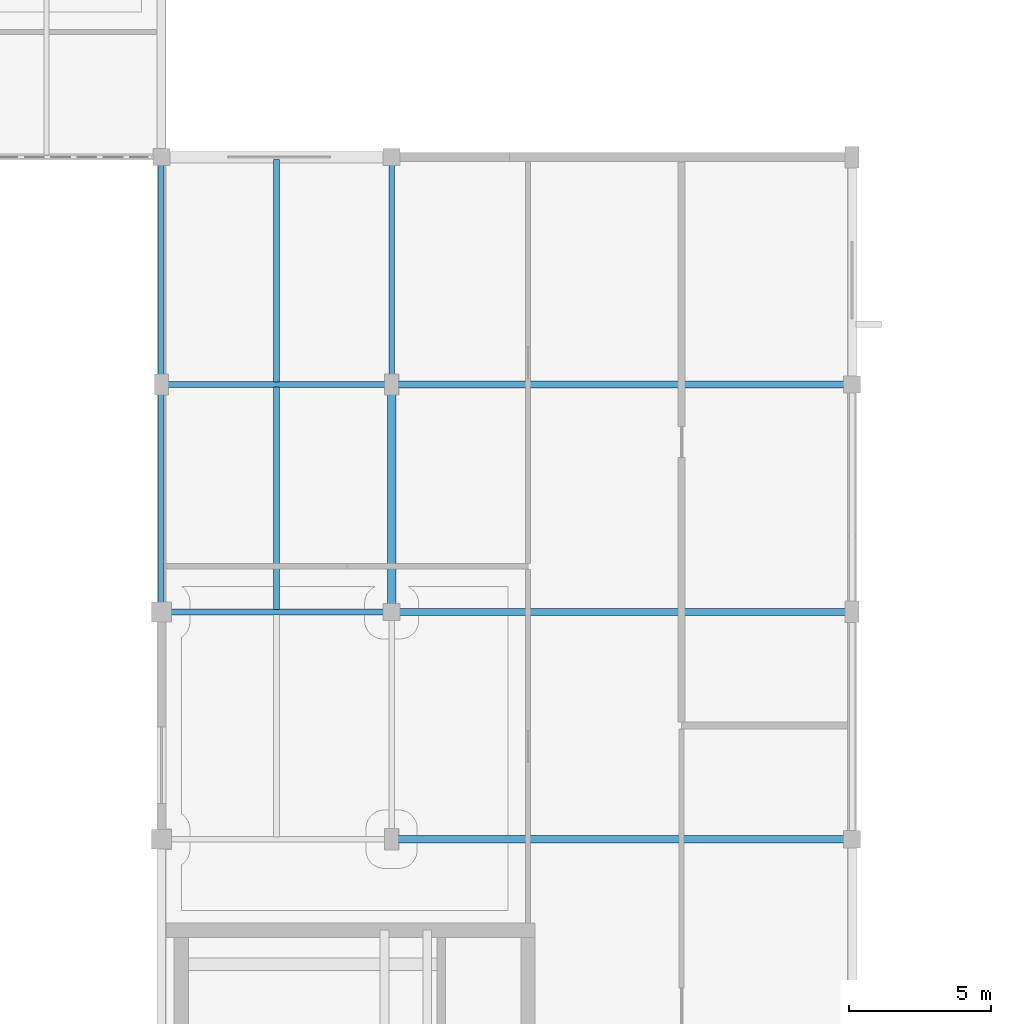
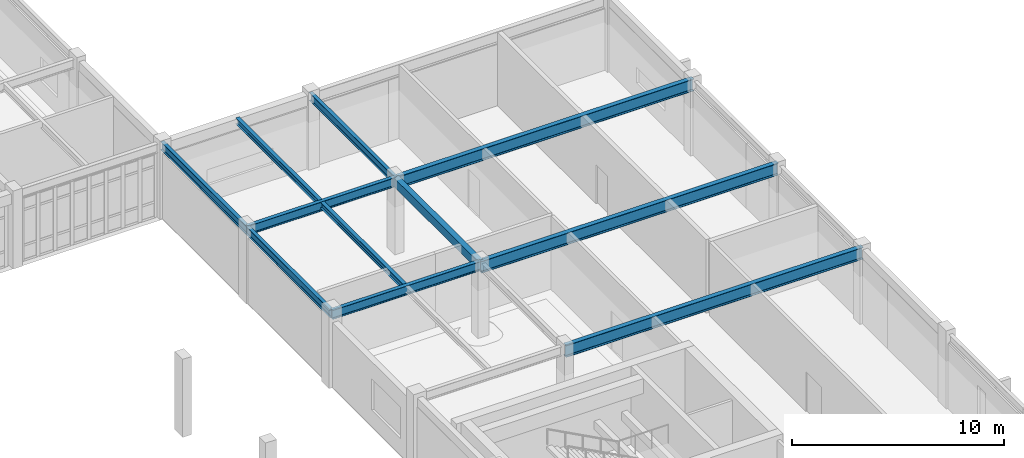
# One storey, part 17 of 67: 11 beams.
"""IFC4 building model written with IfcOpenShell, lengths in metres."""

from ifc_helpers import new_model, si_unit, direction, frame, origin, origin_2d, place, context, subcontext, project, spatial, rectangle, i_section, extrude, material, material_profile, profile_set, type_object, element, save


model = new_model("IFC4")

# Units and contexts
model_context = context("Model", 3, precision=1e-05, world=origin(), true_north=direction((0.0, 1.0)))
body_context = subcontext(model_context, "Body", "Model", "MODEL_VIEW")
ifc_project = project(units=[si_unit("LENGTHUNIT", "METRE"), si_unit("AREAUNIT", "SQUARE_METRE"), si_unit("VOLUMEUNIT", "CUBIC_METRE"), si_unit("PLANEANGLEUNIT", "RADIAN"), si_unit("MASSUNIT", "GRAM", prefix="KILO")], contexts=[model_context])

# Site, building, storey
site_placement = place(None, origin())
site = spatial("IfcSite", under=ifc_project, at=site_placement, CompositionType="ELEMENT")
building_placement = place(site_placement, origin())
building = spatial("IfcBuilding", under=site, at=building_placement, Name="Tarnveldt Square Police Headquarters", CompositionType="ELEMENT")
storey_placement = place(building_placement, frame((0.0, 0.0, 10.199951171875)))
storey = spatial("IfcBuildingStorey", under=building, at=storey_placement, Name="L02", CompositionType="ELEMENT", Elevation=10.199951171875)

# Beams
ifc_material_1 = material(Name="Concrete 40 MPa", Category="concrete")
ifc_material_profile_1 = material_profile(ifc_material_1, rectangle(XDim=0.300048828125, YDim=0.5, at=origin_2d()), Name="RC-B300x500")
ifc_profile_set_1 = profile_set([ifc_material_profile_1], Name="Concrete 40 MPa")
beam_type_1 = type_object("IfcBeamType", Name="BM-RC300x500", PredefinedType="BEAM", material=ifc_profile_set_1)
beam_1_placement = place(storey_placement, frame((113.39990234375, 80.0, 3.989990234375), z_axis=(0.0, 1.0, 0.0), x_axis=(-1.0, 0.0, 0.0)))
element("IfcBeam", 1, at=beam_1_placement, inside=storey, type_object=beam_type_1, Name="L03 Grid Girder Y-0799", PredefinedType="BEAM", context=body_context, shape_type="SweptSolid", body=[
    extrude(rectangle(XDim=0.300048828125, YDim=0.5, at=origin_2d()), origin(), (0.0, 0.0, 1.0), 8.0),
])
ifc_material_2 = material(Name="Steel 350W", Category="steel")
ifc_material_profile_2 = material_profile(ifc_material_2, i_section(OverallWidth=0.202880859375, OverallDepth=0.346923828125, WebThickness=0.0078125, FlangeThickness=0.013427734375, FilletRadius=0.01611328125, at=origin_2d()), Name="W360x64")
ifc_profile_set_2 = profile_set([ifc_material_profile_2], Name="Steel 350W")
beam_type_2 = type_object("IfcBeamType", Name="BM-W360x64", PredefinedType="JOIST", material=ifc_profile_set_2)
beam_2_placement = place(storey_placement, frame((109.35009765625, 88.080078125, 4.066650390625), z_axis=(0.0, 1.0, 0.0), x_axis=(-1.0, 0.0, 0.0)))
element("IfcBeam", 2, at=beam_2_placement, inside=storey, type_object=beam_type_2, Name="L03 Secondary Floor Joist 0167", PredefinedType="JOIST", context=body_context, shape_type="SweptSolid", body=[
    extrude(i_section(OverallWidth=0.202880859375, OverallDepth=0.346923828125, WebThickness=0.0078125, FlangeThickness=0.013427734375, FilletRadius=0.01611328125, at=origin_2d()), origin(), (0.0, 0.0, 1.0), 7.83984375),
])
ifc_material_profile_3 = material_profile(ifc_material_2, i_section(OverallWidth=0.205078125, OverallDepth=0.35400390625, WebThickness=0.009521484375, FlangeThickness=0.016845703125, FilletRadius=0.01611328125, at=origin_2d()), Name="W360x79")
ifc_profile_set_3 = profile_set([ifc_material_profile_3], Name="Steel 350W")
beam_type_3 = type_object("IfcBeamType", Name="BM-W360x79", PredefinedType="JOIST", material=ifc_profile_set_3)
beam_3_placement = place(storey_placement, frame((109.35009765625, 80.080078125, 4.06298828125), z_axis=(0.0, 1.0, 0.0), x_axis=(-1.0, 0.0, 0.0)))
element("IfcBeam", 3, at=beam_3_placement, inside=storey, type_object=beam_type_3, Name="L03 Secondary Floor Joist 0162", PredefinedType="JOIST", context=body_context, shape_type="SweptSolid", body=[
    extrude(i_section(OverallWidth=0.205078125, OverallDepth=0.35400390625, WebThickness=0.009521484375, FlangeThickness=0.016845703125, FilletRadius=0.01611328125, at=origin_2d()), origin(), (0.0, 0.0, 1.0), 7.83984375),
])
ifc_material_profile_4 = material_profile(ifc_material_2, i_section(OverallWidth=0.19189453125, OverallDepth=0.462890625, WebThickness=0.010498046875, FlangeThickness=0.017578125, FilletRadius=0.01806640625, at=origin_2d()), Name="W460x89")
ifc_profile_set_4 = profile_set([ifc_material_profile_4], Name="Steel 350W")
beam_type_4 = type_object("IfcBeamType", Name="BM-W460x89", PredefinedType="BEAM", material=ifc_profile_set_4)
for number, where, z_axis, x_axis, name in (
    (4, (105.300048828125, 80.0, 4.008544921875), (0.0, 1.0, 0.0), (-1.0, 0.0, 0.0), "L03 Grid Girder Y-0794"),
    (5, (105.300048828125, 88.0, 4.008544921875), (0.0, 1.0, 0.0), (-1.0, 0.0, 0.0), "L03 Grid Girder Y-0795"),
    (6, (113.39990234375, 88.0, 4.008544921875), (0.0, 1.0, 0.0), (-1.0, 0.0, 0.0), "L03 Grid Girder Y-0800"),
):
    element("IfcBeam", number, at=place(storey_placement, frame(where, z_axis=z_axis, x_axis=x_axis)), inside=storey, type_object=beam_type_4, Name=name, PredefinedType="BEAM", context=body_context, shape_type="SweptSolid", body=[
        extrude(i_section(OverallWidth=0.19189453125, OverallDepth=0.462890625, WebThickness=0.010498046875, FlangeThickness=0.017578125, FilletRadius=0.01806640625, at=origin_2d()), origin(), (0.0, 0.0, 1.0), 8.0),
    ])
ifc_material_profile_5 = material_profile(ifc_material_2, i_section(OverallWidth=0.208984375, OverallDepth=0.532958984375, WebThickness=0.01025390625, FlangeThickness=0.015625, FilletRadius=0.01904296875, at=origin_2d()), Name="W530x92")
ifc_profile_set_5 = profile_set([ifc_material_profile_5], Name="Steel 350W")
beam_type_5 = type_object("IfcBeamType", Name="BM-W530x92", PredefinedType="BEAM", material=ifc_profile_set_5)
for number, where, z_axis, x_axis, name in (
    (7, (105.300048828125, 80.0, 3.9736328125), (1.0, 0.0, 0.0), (0.0, 1.0, 0.0), "L03 Grid Girder X-0701"),
    (8, (105.300048828125, 88.0, 3.9736328125), (1.0, 0.0, 0.0), (0.0, 1.0, 0.0), "L03 Grid Girder X-0707"),
):
    element("IfcBeam", number, at=place(storey_placement, frame(where, z_axis=z_axis, x_axis=x_axis)), inside=storey, type_object=beam_type_5, Name=name, PredefinedType="BEAM", context=body_context, shape_type="SweptSolid", body=[
        extrude(i_section(OverallWidth=0.208984375, OverallDepth=0.532958984375, WebThickness=0.01025390625, FlangeThickness=0.015625, FilletRadius=0.01904296875, at=origin_2d()), origin(), (0.0, 0.0, 1.0), 8.099853515625),
    ])
ifc_material_profile_6 = material_profile(ifc_material_2, i_section(OverallWidth=0.25390625, OverallDepth=0.68798828125, WebThickness=0.01318359375, FlangeThickness=0.02099609375, FilletRadius=0.02001953125, at=origin_2d()), Name="W690x152")
ifc_profile_set_6 = profile_set([ifc_material_profile_6], Name="Steel 350W")
beam_type_6 = type_object("IfcBeamType", Name="BM-W690x152", PredefinedType="BEAM", material=ifc_profile_set_6)
for number, where, z_axis, x_axis, name in (
    (9, (113.39990234375, 72.0, 3.89599609375), (1.0, 0.0, 0.0), (0.0, 1.0, 0.0), "L03 Grid Girder X-0696"),
    (10, (113.39990234375, 80.0, 3.89599609375), (1.0, 0.0, 0.0), (0.0, 1.0, 0.0), "L03 Grid Girder X-0702"),
    (11, (113.39990234375, 88.0, 3.89599609375), (1.0, 0.0, 0.0), (0.0, 1.0, 0.0), "L03 Grid Girder X-0708"),
):
    element("IfcBeam", number, at=place(storey_placement, frame(where, z_axis=z_axis, x_axis=x_axis)), inside=storey, type_object=beam_type_6, Name=name, PredefinedType="BEAM", context=body_context, shape_type="SweptSolid", body=[
        extrude(i_section(OverallWidth=0.25390625, OverallDepth=0.68798828125, WebThickness=0.01318359375, FlangeThickness=0.02099609375, FilletRadius=0.02001953125, at=origin_2d()), origin(), (0.0, 0.0, 1.0), 16.2001953125),
    ])

save(model, "model.ifc")
